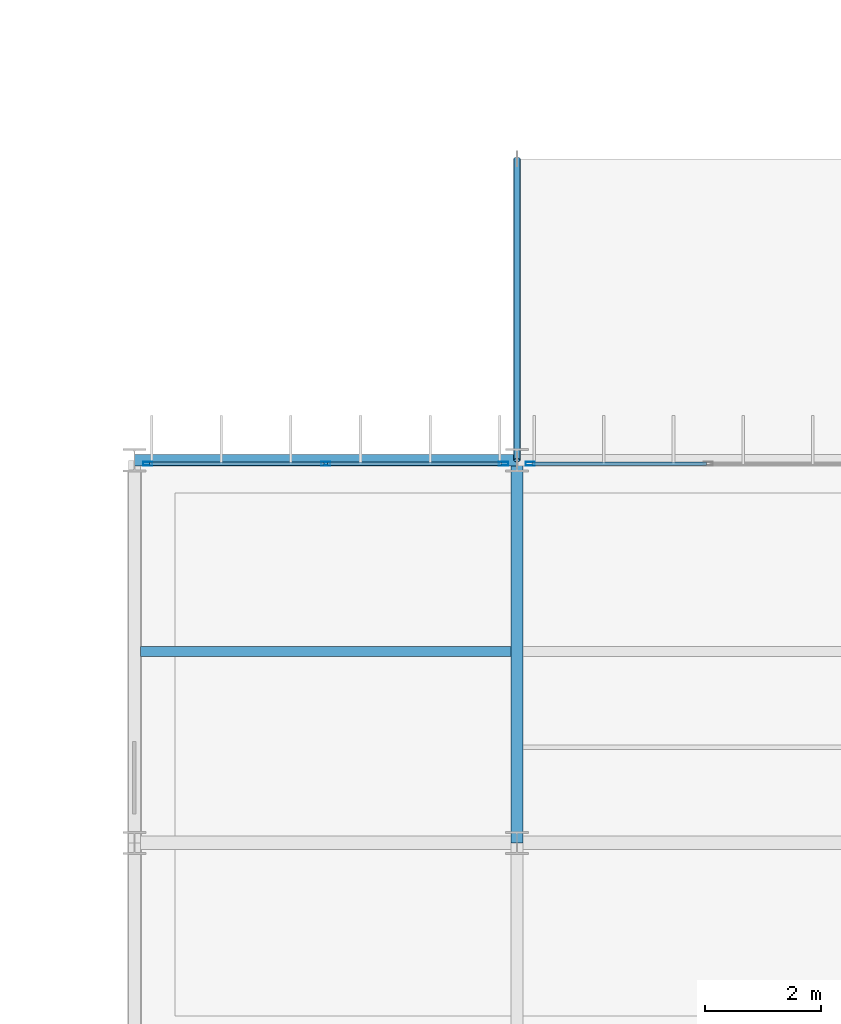
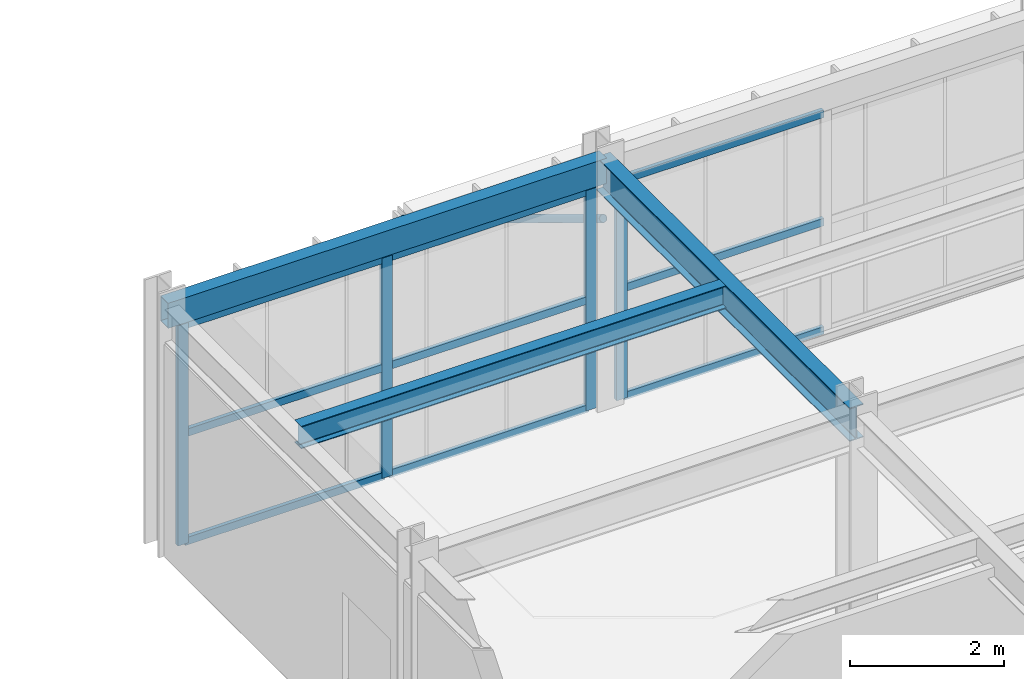
# One storey, part 56 of 148: 14 members, 3 beams, 2 elements without a shape of their own.
"""IFC4 building model written with IfcOpenShell, lengths in metres."""

from ifc_helpers import new_model, si_unit, direction, frame, origin, origin_2d, place, context, subcontext, project, spatial, hollow_rectangle, hollow_circle, i_section, extrude, material, material_profile, profile_set, type_object, element, aggregate, save


model = new_model("IFC4")

# Units and contexts
model_context = context("Model", 3, precision=1e-05, world=origin(), true_north=direction((0.0, 1.0)))
body_context = subcontext(model_context, "Body", "Model", "MODEL_VIEW")
ifc_project = project(units=[si_unit("LENGTHUNIT", "METRE"), si_unit("AREAUNIT", "SQUARE_METRE"), si_unit("VOLUMEUNIT", "CUBIC_METRE"), si_unit("PLANEANGLEUNIT", "RADIAN"), si_unit("MASSUNIT", "GRAM", prefix="KILO")], contexts=[model_context])

# Site, building, storey
site_placement = place(None, origin())
site = spatial("IfcSite", under=ifc_project, at=site_placement, CompositionType="ELEMENT")
building_placement = place(site_placement, origin())
building = spatial("IfcBuilding", under=site, at=building_placement, Name="Karori Crest Natural Sciences Institute", CompositionType="ELEMENT")
storey_placement = place(building_placement, frame((0.0, 0.0, 4.89990234375)))
storey = spatial("IfcBuildingStorey", under=building, at=storey_placement, Name="L01", CompositionType="ELEMENT", Elevation=4.89990234375)

# Beams
ifc_material_1 = material(Name="Structural steel AS/NZS 3679.1 Grade 350", Category="steel")
ifc_material_profile_1 = material_profile(ifc_material_1, i_section(OverallWidth=0.208984375, OverallDepth=0.532958984375, WebThickness=0.01025390625, FlangeThickness=0.015625, FilletRadius=0.013916015625, at=origin_2d()), Name="530UB92.4")
ifc_profile_set_1 = profile_set([ifc_material_profile_1], Name="Structural steel AS/NZS 3679.1 Grade 350")
beam_type_1 = type_object("IfcBeamType", Name="BT-05", PredefinedType="BEAM", material=ifc_profile_set_1)
beam_1_placement = place(storey_placement, frame((110.199951171875, 14.0, 3.653564453125), z_axis=(0.0, 1.0, 0.0), x_axis=(-1.0, 0.0, 0.0)))
element("IfcBeam", 1, at=beam_1_placement, inside=storey, type_object=beam_type_1, Name="Beam B-2147", PredefinedType="BEAM", context=body_context, shape_type="SweptSolid", body=[
    extrude(i_section(OverallWidth=0.208984375, OverallDepth=0.532958984375, WebThickness=0.01025390625, FlangeThickness=0.015625, FilletRadius=0.013916015625, at=origin_2d()), origin(), (0.0, 0.0, 1.0), 6.60009765625),
])
ifc_material_profile_2 = material_profile(ifc_material_1, i_section(OverallWidth=0.172119140625, OverallDepth=0.35888671875, WebThickness=0.008056640625, FlangeThickness=0.012939453125, FilletRadius=0.010986328125, at=origin_2d()), Name="360UB56.7")
ifc_profile_set_2 = profile_set([ifc_material_profile_2], Name="Structural steel AS/NZS 3679.1 Grade 350")
beam_type_2 = type_object("IfcBeamType", Name="BT-08", PredefinedType="BEAM", material=ifc_profile_set_2)
beam_2_placement = place(storey_placement, frame((103.70458984375, 17.300048828125, 3.740478515625), z_axis=(1.0, 0.0, 0.0), x_axis=(0.0, 1.0, 0.0)))
element("IfcBeam", 2, at=beam_2_placement, inside=storey, type_object=beam_type_2, Name="Beam B-2173", PredefinedType="BEAM", context=body_context, shape_type="SweptSolid", body=[
    extrude(i_section(OverallWidth=0.172119140625, OverallDepth=0.35888671875, WebThickness=0.008056640625, FlangeThickness=0.012939453125, FilletRadius=0.010986328125, at=origin_2d()), origin(), (0.0, 0.0, 1.0), 6.390869140625),
])
ifc_material_2 = material(Name="Hollow structural steel AS/NZS 1163 Grade C350", Category="steel")
ifc_material_profile_3 = material_profile(ifc_material_2, hollow_rectangle(XDim=0.199951171875, YDim=0.39990234375, WallThickness=0.012451171875, at=origin_2d()), Name="RHS400x200x12.5")
ifc_profile_set_3 = profile_set([ifc_material_profile_3], Name="Hollow structural steel AS/NZS 1163 Grade C350")
beam_type_3 = type_object("IfcBeamType", Name="BT-14", PredefinedType="SPANDREL", material=ifc_profile_set_3)
beam_3_placement = place(storey_placement, frame((103.60009765625, 20.60009765625, 3.72021484375), z_axis=(1.0, 0.0, 0.0), x_axis=(0.0, 1.0, 0.0)))
element("IfcBeam", 3, at=beam_3_placement, inside=storey, type_object=beam_type_3, Name="Beam B-2133", PredefinedType="SPANDREL", context=body_context, shape_type="SweptSolid", body=[
    extrude(hollow_rectangle(XDim=0.199951171875, YDim=0.39990234375, WallThickness=0.012451171875, at=origin_2d()), origin(), (0.0, 0.0, 1.0), 6.599853515625),
])

# Curtain wall, members
ifc_material_3 = material(Name="Anodised architectural aluminium 6063-T6", Category="aluminium")
curtain_wall_type = type_object("IfcCurtainWallType", Name="CWT-20", PredefinedType="NOTDEFINED", material=ifc_material_3)
curtain_wall_1_placement = place(storey_placement, origin())
curtain_wall_1 = element("IfcCurtainWall", 4, at=curtain_wall_1_placement, inside=storey, type_object=curtain_wall_type, Name="Curtain wall CW-0304", PredefinedType="NOTDEFINED")
ifc_material_profile_4 = material_profile(ifc_material_3, hollow_rectangle(XDim=0.06494140625, YDim=0.159912109375, WallThickness=0.00390625, at=origin_2d()), Name="CWM160x65x4")
ifc_profile_set_4 = profile_set([ifc_material_profile_4], Name="Anodised architectural aluminium 6063-T6")
member_type_1 = type_object("IfcMemberType", Name="CWM-01", PredefinedType="MULLION", material=ifc_profile_set_4)
member_1_placement = place(storey_placement, frame((103.83056640625, 20.5400390625, 0.0), z_axis=(0.0, 0.0, 1.0), x_axis=(0.0, 1.0, 0.0)))
member_1 = element("IfcMember", 5, at=member_1_placement, type_object=member_type_1, Name="CW-0304 mullion 1", PredefinedType="MULLION", context=body_context, shape_type="SweptSolid", body=[
    extrude(hollow_rectangle(XDim=0.06494140625, YDim=0.159912109375, WallThickness=0.00390625, at=origin_2d()), origin(), (0.0, 0.0, 1.0), 3.505126953125),
])
member_2_placement = place(storey_placement, frame((106.89990234375, 20.5400390625, 0.0), z_axis=(0.0, 0.0, 1.0), x_axis=(0.0, 1.0, 0.0)))
member_2 = element("IfcMember", 6, at=member_2_placement, type_object=member_type_1, Name="CW-0304 mullion 2", PredefinedType="MULLION", context=body_context, shape_type="SweptSolid", body=[
    extrude(hollow_rectangle(XDim=0.06494140625, YDim=0.159912109375, WallThickness=0.00390625, at=origin_2d()), origin(), (0.0, 0.0, 1.0), 3.505126953125),
])
member_3_placement = place(storey_placement, frame((109.969482421875, 20.5400390625, 0.0), z_axis=(0.0, 0.0, 1.0), x_axis=(0.0, 1.0, 0.0)))
member_3 = element("IfcMember", 7, at=member_3_placement, type_object=member_type_1, Name="CW-0304 mullion 3", PredefinedType="MULLION", context=body_context, shape_type="SweptSolid", body=[
    extrude(hollow_rectangle(XDim=0.06494140625, YDim=0.159912109375, WallThickness=0.00390625, at=origin_2d()), origin(), (0.0, 0.0, 1.0), 3.505126953125),
])

# Curtain wall, member
curtain_wall_2_placement = place(storey_placement, origin())
curtain_wall_2 = element("IfcCurtainWall", 8, at=curtain_wall_2_placement, inside=storey, type_object=curtain_wall_type, Name="Curtain wall CW-0305", PredefinedType="NOTDEFINED")
member_4_placement = place(storey_placement, frame((110.430419921875, 20.5400390625, 0.0), z_axis=(0.0, 0.0, 1.0), x_axis=(0.0, 1.0, 0.0)))
member_4 = element("IfcMember", 9, at=member_4_placement, type_object=member_type_1, Name="CW-0305 mullion 1", PredefinedType="MULLION", context=body_context, shape_type="SweptSolid", body=[
    extrude(hollow_rectangle(XDim=0.06494140625, YDim=0.159912109375, WallThickness=0.00390625, at=origin_2d()), origin(), (0.0, 0.0, 1.0), 3.505126953125),
])

# Member
ifc_material_profile_5 = material_profile(ifc_material_3, hollow_rectangle(XDim=0.06005859375, YDim=0.1201171875, WallThickness=0.00390625, at=origin_2d()), Name="CWT120x60x4")
ifc_profile_set_5 = profile_set([ifc_material_profile_5], Name="Anodised architectural aluminium 6063-T6")
member_type_2 = type_object("IfcMemberType", Name="CWT-TR1", PredefinedType="USERDEFINED", material=ifc_profile_set_5)
member_5_placement = place(storey_placement, frame((103.863037109375, 20.5400390625, 0.030029296875), z_axis=(1.0, 0.0, 0.0), x_axis=(0.0, 1.0, 0.0)))
member_5 = element("IfcMember", 10, at=member_5_placement, type_object=member_type_2, Name="CW-0304 transom 1.1", ObjectType="TRANSOM", PredefinedType="USERDEFINED", context=body_context, shape_type="SweptSolid", body=[
    extrude(hollow_rectangle(XDim=0.06005859375, YDim=0.1201171875, WallThickness=0.00390625, at=origin_2d()), origin(), (0.0, 0.0, 1.0), 3.00439453125),
])

member_6_placement = place(storey_placement, frame((103.863037109375, 20.5400390625, 1.752685546875), z_axis=(1.0, 0.0, 0.0), x_axis=(0.0, 1.0, 0.0)))
member_6 = element("IfcMember", 11, at=member_6_placement, type_object=member_type_2, Name="CW-0304 transom 1.2", ObjectType="TRANSOM", PredefinedType="USERDEFINED", context=body_context, shape_type="SweptSolid", body=[
    extrude(hollow_rectangle(XDim=0.06005859375, YDim=0.1201171875, WallThickness=0.00390625, at=origin_2d()), origin(), (0.0, 0.0, 1.0), 3.00439453125),
])

member_7_placement = place(storey_placement, frame((103.863037109375, 20.5400390625, 3.47509765625), z_axis=(1.0, 0.0, 0.0), x_axis=(0.0, 1.0, 0.0)))
member_7 = element("IfcMember", 12, at=member_7_placement, type_object=member_type_2, Name="CW-0304 transom 1.3", ObjectType="TRANSOM", PredefinedType="USERDEFINED", context=body_context, shape_type="SweptSolid", body=[
    extrude(hollow_rectangle(XDim=0.06005859375, YDim=0.1201171875, WallThickness=0.00390625, at=origin_2d()), origin(), (0.0, 0.0, 1.0), 3.00439453125),
])

member_8_placement = place(storey_placement, frame((106.9326171875, 20.5400390625, 0.030029296875), z_axis=(1.0, 0.0, 0.0), x_axis=(0.0, 1.0, 0.0)))
member_8 = element("IfcMember", 13, at=member_8_placement, type_object=member_type_2, Name="CW-0304 transom 2.1", ObjectType="TRANSOM", PredefinedType="USERDEFINED", context=body_context, shape_type="SweptSolid", body=[
    extrude(hollow_rectangle(XDim=0.06005859375, YDim=0.1201171875, WallThickness=0.00390625, at=origin_2d()), origin(), (0.0, 0.0, 1.0), 3.00439453125),
])

member_9_placement = place(storey_placement, frame((106.9326171875, 20.5400390625, 1.752685546875), z_axis=(1.0, 0.0, 0.0), x_axis=(0.0, 1.0, 0.0)))
member_9 = element("IfcMember", 14, at=member_9_placement, type_object=member_type_2, Name="CW-0304 transom 2.2", ObjectType="TRANSOM", PredefinedType="USERDEFINED", context=body_context, shape_type="SweptSolid", body=[
    extrude(hollow_rectangle(XDim=0.06005859375, YDim=0.1201171875, WallThickness=0.00390625, at=origin_2d()), origin(), (0.0, 0.0, 1.0), 3.00439453125),
])

member_10_placement = place(storey_placement, frame((106.9326171875, 20.5400390625, 3.47509765625), z_axis=(1.0, 0.0, 0.0), x_axis=(0.0, 1.0, 0.0)))
member_10 = element("IfcMember", 15, at=member_10_placement, type_object=member_type_2, Name="CW-0304 transom 2.3", ObjectType="TRANSOM", PredefinedType="USERDEFINED", context=body_context, shape_type="SweptSolid", body=[
    extrude(hollow_rectangle(XDim=0.06005859375, YDim=0.1201171875, WallThickness=0.00390625, at=origin_2d()), origin(), (0.0, 0.0, 1.0), 3.00439453125),
])

aggregate(curtain_wall_1, [member_1, member_2, member_3, member_5, member_6, member_7, member_8, member_9, member_10])

member_11_placement = place(storey_placement, frame((110.462890625, 20.5400390625, 0.030029296875), z_axis=(1.0, 0.0, 0.0), x_axis=(0.0, 1.0, 0.0)))
member_11 = element("IfcMember", 16, at=member_11_placement, type_object=member_type_2, Name="CW-0305 transom 1.1", ObjectType="TRANSOM", PredefinedType="USERDEFINED", context=body_context, shape_type="SweptSolid", body=[
    extrude(hollow_rectangle(XDim=0.06005859375, YDim=0.1201171875, WallThickness=0.00390625, at=origin_2d()), origin(), (0.0, 0.0, 1.0), 3.004638671875),
])

member_12_placement = place(storey_placement, frame((110.462890625, 20.5400390625, 1.752685546875), z_axis=(1.0, 0.0, 0.0), x_axis=(0.0, 1.0, 0.0)))
member_12 = element("IfcMember", 17, at=member_12_placement, type_object=member_type_2, Name="CW-0305 transom 1.2", ObjectType="TRANSOM", PredefinedType="USERDEFINED", context=body_context, shape_type="SweptSolid", body=[
    extrude(hollow_rectangle(XDim=0.06005859375, YDim=0.1201171875, WallThickness=0.00390625, at=origin_2d()), origin(), (0.0, 0.0, 1.0), 3.004638671875),
])

member_13_placement = place(storey_placement, frame((110.462890625, 20.5400390625, 3.47509765625), z_axis=(1.0, 0.0, 0.0), x_axis=(0.0, 1.0, 0.0)))
member_13 = element("IfcMember", 18, at=member_13_placement, type_object=member_type_2, Name="CW-0305 transom 1.3", ObjectType="TRANSOM", PredefinedType="USERDEFINED", context=body_context, shape_type="SweptSolid", body=[
    extrude(hollow_rectangle(XDim=0.06005859375, YDim=0.1201171875, WallThickness=0.00390625, at=origin_2d()), origin(), (0.0, 0.0, 1.0), 3.004638671875),
])

aggregate(curtain_wall_2, [member_4, member_11, member_12, member_13])

ifc_material_profile_6 = material_profile(ifc_material_2, hollow_circle(Radius=0.05712890625, WallThickness=0.006103515625, at=origin_2d()), Name="CHS114.3x6.0")
ifc_profile_set_6 = profile_set([ifc_material_profile_6], Name="Hollow structural steel AS/NZS 1163 Grade C350")
member_type_3 = type_object("IfcMemberType", Name="MT-19", PredefinedType="STRUT", material=ifc_profile_set_6)
member_14_placement = place(storey_placement, frame((110.199951171875, 25.800048828125, -0.260009765625), z_axis=(0.0, -0.854565586417, 0.519343487984), x_axis=(1.0, 0.0, 0.0)))
element("IfcMember", 19, at=member_14_placement, inside=storey, type_object=member_type_3, Name="Member M-0496", PredefinedType="STRUT", context=body_context, shape_type="SweptSolid", body=[
    extrude(hollow_circle(Radius=0.05712890625, WallThickness=0.006103515625, at=origin_2d()), origin(), (0.0, 0.0, 1.0), 6.0849609375),
])

save(model, "model.ifc")
